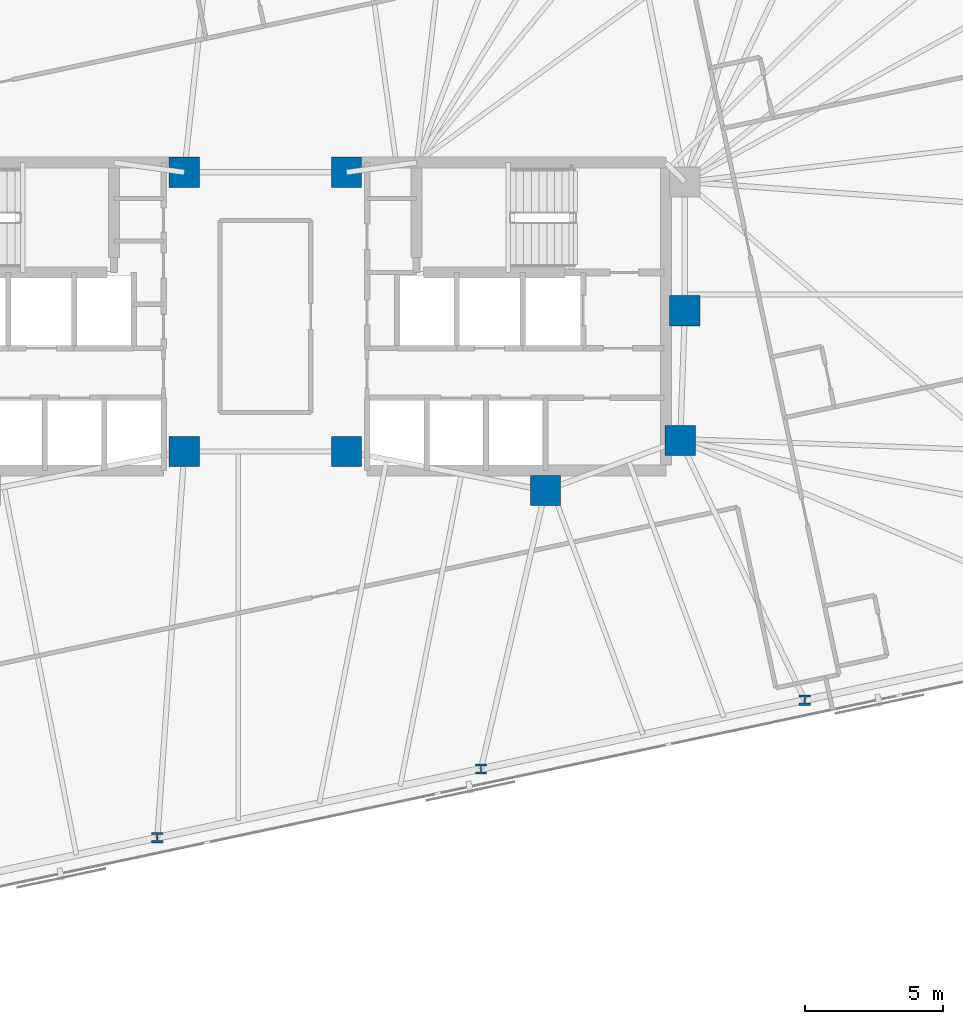
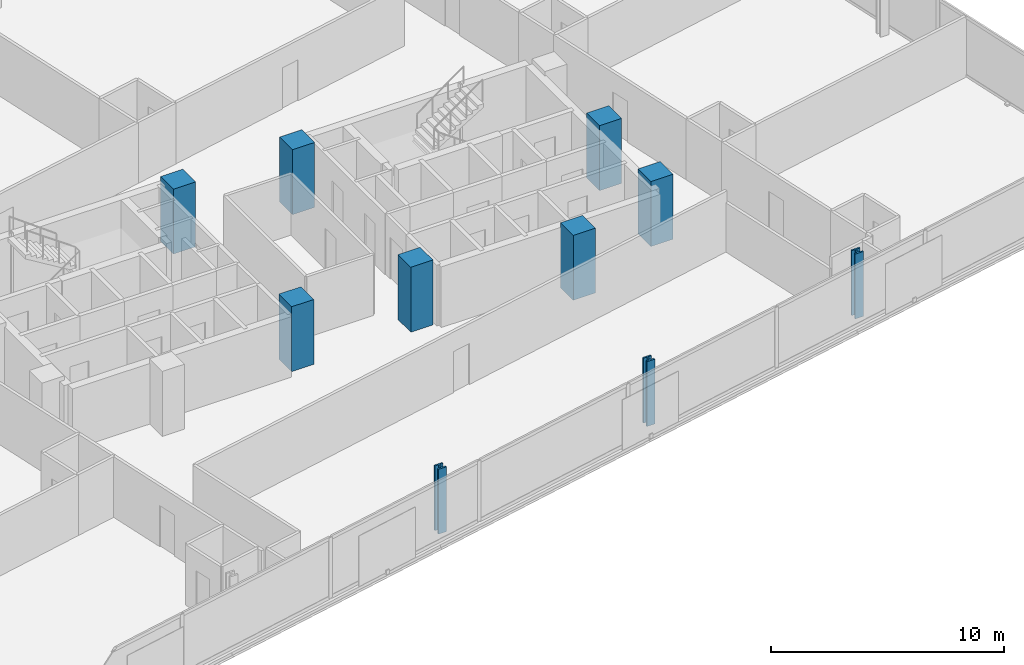
# One storey, part 3 of 19: 10 columns.
"""IFC4 building model written with IfcOpenShell, lengths in metres."""

from ifc_helpers import new_model, si_unit, direction, frame, origin, origin_2d, place, context, subcontext, project, spatial, rectangle, i_section, extrude, material, material_profile, profile_set, type_object, element, save


model = new_model("IFC4")

# Units and contexts
model_context = context("Model", 3, precision=1e-05, world=origin(), true_north=direction((0.0, 1.0)))
body_context = subcontext(model_context, "Body", "Model", "MODEL_VIEW")
ifc_project = project(units=[si_unit("LENGTHUNIT", "METRE"), si_unit("AREAUNIT", "SQUARE_METRE"), si_unit("VOLUMEUNIT", "CUBIC_METRE"), si_unit("PLANEANGLEUNIT", "RADIAN"), si_unit("MASSUNIT", "GRAM", prefix="KILO")], contexts=[model_context])

# Site, building, storey
site_placement = place(None, origin())
site = spatial("IfcSite", under=ifc_project, at=site_placement, CompositionType="ELEMENT")
building_placement = place(site_placement, origin())
building = spatial("IfcBuilding", under=site, at=building_placement, Name="Menara Jurai Vektor", CompositionType="ELEMENT")
storey_placement = place(building_placement, frame((0.0, 0.0, 192.199951171875)))
storey = spatial("IfcBuildingStorey", under=building, at=storey_placement, Name="L50", CompositionType="ELEMENT", Elevation=192.199951171875)

# Columns
ifc_material_1 = material(Name="Concrete C50/60", Category="concrete")
ifc_material_profile_1 = material_profile(ifc_material_1, rectangle(XDim=1.10009765625, YDim=1.10009765625, at=origin_2d()), Name="RC 1100x1100")
ifc_profile_set_1 = profile_set([ifc_material_profile_1], Name="Concrete C50/60")
column_type_1 = type_object("IfcColumnType", Name="STR-COL-RC1100", PredefinedType="COLUMN", material=ifc_profile_set_1)
for number, where, z_axis, x_axis, name in (
    (1, (-2.949951171875, -4.89990234375, 0.0), (0.0, 0.0, 1.0), (1.0, 0.0, 0.0), "Core Spine Column CW-SE L50"),
    (2, (-2.949951171875, 5.25, 0.0), (0.0, 0.0, 1.0), (1.0, 0.0, 0.0), "Core Spine Column CW-NE L50"),
    (3, (15.25, 0.219970703125, 0.0), (0.0, 0.0, 1.0), (1.0, 0.0, 0.0), "Core Spine Column CE-EM L50"),
    (4, (15.080078125, -4.5, 0.0), (0.0, 0.0, 1.0), (1.0, 0.0, 0.0), "Core Spine Column CE-SE L50"),
    (5, (10.179931640625, -6.320068359375, 0.0), (0.0, 0.0, 1.0), (1.0, 0.0, 0.0), "Core Spine Column CE-SM L50"),
    (6, (2.949951171875, -4.89990234375, 0.0), (0.0, 0.0, 1.0), (1.0, 0.0, 0.0), "Core Spine Column CE-SW L50"),
    (7, (2.949951171875, 5.25, 0.0), (0.0, 0.0, 1.0), (1.0, 0.0, 0.0), "Core Spine Column CE-NW L50"),
):
    element("IfcColumn", number, at=place(storey_placement, frame(where, z_axis=z_axis, x_axis=x_axis)), inside=storey, type_object=column_type_1, Name=name, PredefinedType="COLUMN", context=body_context, shape_type="SweptSolid", body=[
        extrude(rectangle(XDim=1.10009765625, YDim=1.10009765625, at=origin_2d()), origin(), (0.0, 0.0, 1.0), 3.400146484375),
    ])
ifc_material_2 = material(Name="Steel S460", Category="steel")
ifc_material_profile_2 = material_profile(ifc_material_2, i_section(OverallWidth=0.408935546875, OverallDepth=0.3740234375, WebThickness=0.048095703125, FlangeThickness=0.076904296875, FilletRadius=0.014892578125, at=origin_2d()), Name="HD 400x634")
ifc_profile_set_2 = profile_set([ifc_material_profile_2], Name="Steel S460")
column_type_2 = type_object("IfcColumnType", Name="STR-EXO-BLK3", PredefinedType="COLUMN", material=ifc_profile_set_2)
for number, where, z_axis, x_axis, name in (
    (8, (-3.928466796875, -18.94287109375, 0.0), (0.0, 0.0, 1.0), (1.0, 0.0, 0.0), "Exoskeleton Column BLK3-S3 L50"),
    (9, (7.83984375, -16.44140625, 0.0), (0.0, 0.0, 1.0), (1.0, 0.0, 0.0), "Exoskeleton Column BLK3-S4 L50"),
    (10, (19.608154296875, -13.940185546875, 0.0), (0.0, 0.0, 1.0), (1.0, 0.0, 0.0), "Exoskeleton Column BLK3-S5 L50"),
):
    element("IfcColumn", number, at=place(storey_placement, frame(where, z_axis=z_axis, x_axis=x_axis)), inside=storey, type_object=column_type_2, Name=name, PredefinedType="COLUMN", context=body_context, shape_type="SweptSolid", body=[
        extrude(i_section(OverallWidth=0.408935546875, OverallDepth=0.3740234375, WebThickness=0.048095703125, FlangeThickness=0.076904296875, FilletRadius=0.014892578125, at=origin_2d()), origin(), (0.0, 0.0, 1.0), 3.400146484375),
    ])

save(model, "model.ifc")
